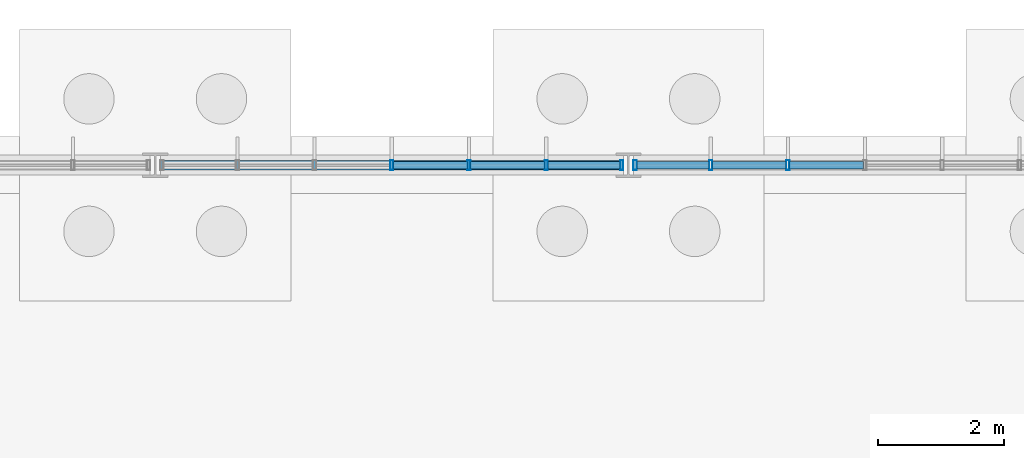
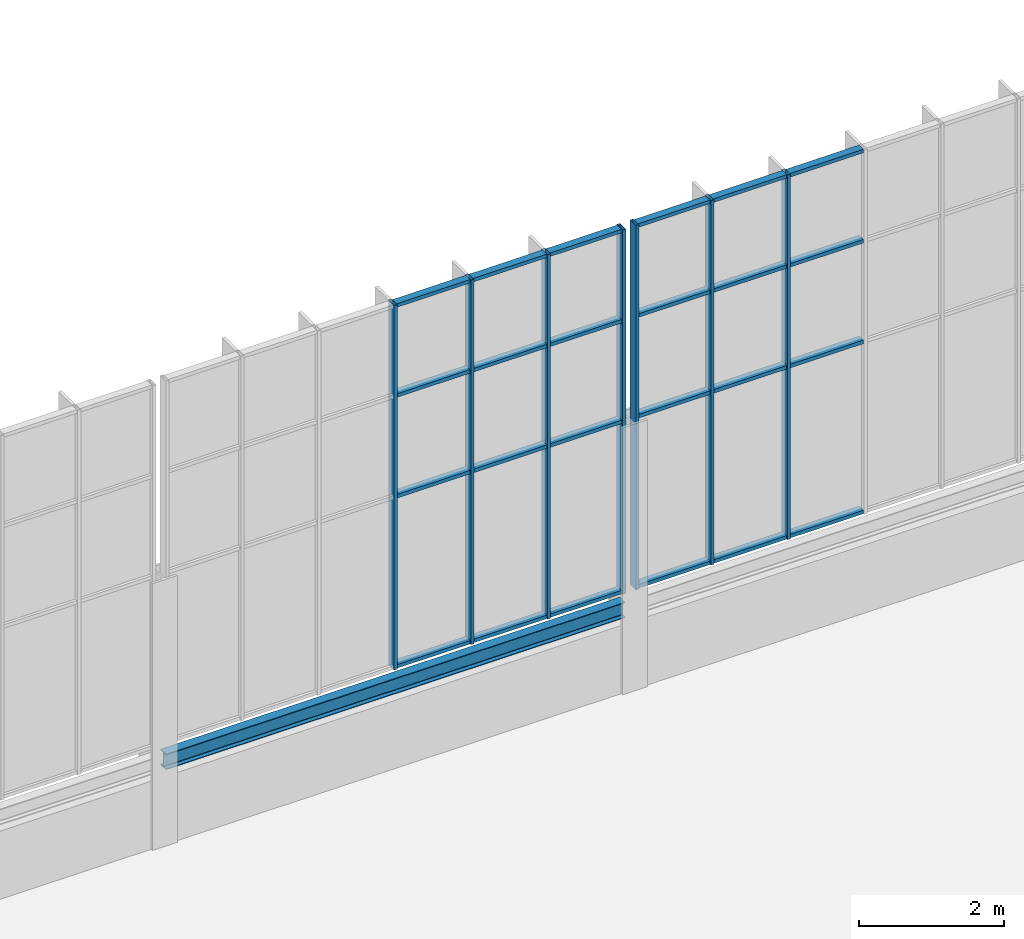
# One storey, part 59 of 136: 31 members, 1 beam, 2 elements without a shape of their own.
"""IFC4 building model written with IfcOpenShell, lengths in metres."""

from ifc_helpers import new_model, si_unit, direction, frame, origin, origin_2d, place, context, subcontext, project, spatial, hollow_rectangle, i_section, extrude, material, layer, layer_set, material_profile, profile_set, type_object, element, aggregate, save


model = new_model("IFC4")

# Units and contexts
model_context = context("Model", 3, precision=1e-05, world=origin(), true_north=direction((0.0, 1.0)))
body_context = subcontext(model_context, "Body", "Model", "MODEL_VIEW")
ifc_project = project(units=[si_unit("LENGTHUNIT", "METRE"), si_unit("AREAUNIT", "SQUARE_METRE"), si_unit("VOLUMEUNIT", "CUBIC_METRE"), si_unit("PLANEANGLEUNIT", "RADIAN"), si_unit("MASSUNIT", "GRAM", prefix="KILO")], contexts=[model_context])

# Site, building, storey
site_placement = place(None, origin())
site = spatial("IfcSite", under=ifc_project, at=site_placement, CompositionType="ELEMENT")
building_placement = place(site_placement, origin())
building = spatial("IfcBuilding", under=site, at=building_placement, Name="Solvenia Promenade Tram Depot", CompositionType="ELEMENT")
storey_placement = place(building_placement, origin())
storey = spatial("IfcBuildingStorey", under=building, at=storey_placement, Name="L00", CompositionType="ELEMENT", Elevation=0.0)

# Curtain wall, members
ifc_material_1 = material(Name="Anodized aluminium AW-6063 T6", Category="aluminium")
ifc_layer = layer(ifc_material_1, 0.159912109375, Name="Anodized aluminium AW-6063 T6", Category="aluminium")
ifc_layer_set = layer_set([ifc_layer], Name="Anodized aluminium AW-6063 T6")
curtain_wall_type = type_object("IfcCurtainWallType", Name="CW-Channel-1200", PredefinedType="NOTDEFINED", material=ifc_layer_set)
curtain_wall_1_placement = place(storey_placement, origin())
curtain_wall_1 = element("IfcCurtainWall", 1, at=curtain_wall_1_placement, inside=storey, type_object=curtain_wall_type, Name="North Translucent Channel-Glass Wall 07", PredefinedType="NOTDEFINED")
ifc_material_profile_1 = material_profile(ifc_material_1, hollow_rectangle(XDim=0.159912109375, YDim=0.052001953125, WallThickness=0.00390625, at=origin_2d()), Name="ALU-M1", Category="aluminium")
ifc_profile_set_1 = profile_set([ifc_material_profile_1], Name="Anodized aluminium AW-6063 T6")
member_type_1 = type_object("IfcMemberType", Name="CWM-Mullion-1", PredefinedType="MULLION", material=ifc_profile_set_1)
member_1_placement = place(storey_placement, frame((48.75, 126.0, 1.60009765625), z_axis=(0.0, 0.0, 1.0), x_axis=(0.0, 1.0, 0.0)))
member_1 = element("IfcMember", 2, at=member_1_placement, type_object=member_type_1, Name="CW-1 mullion 4", PredefinedType="MULLION", context=body_context, shape_type="SweptSolid", body=[
    extrude(hollow_rectangle(XDim=0.159912109375, YDim=0.052001953125, WallThickness=0.00390625, at=origin_2d()), origin(), (0.0, 0.0, 1.0), 6.14990234375),
])
member_2_placement = place(storey_placement, frame((49.973388671875, 126.0, 1.60009765625), z_axis=(0.0, 0.0, 1.0), x_axis=(0.0, 1.0, 0.0)))
member_2 = element("IfcMember", 3, at=member_2_placement, type_object=member_type_1, Name="CW-1 mullion 5", PredefinedType="MULLION", context=body_context, shape_type="SweptSolid", body=[
    extrude(hollow_rectangle(XDim=0.159912109375, YDim=0.052001953125, WallThickness=0.00390625, at=origin_2d()), origin(), (0.0, 0.0, 1.0), 6.14990234375),
])
member_3_placement = place(storey_placement, frame((51.19677734375, 126.0, 1.60009765625), z_axis=(0.0, 0.0, 1.0), x_axis=(0.0, 1.0, 0.0)))
member_3 = element("IfcMember", 4, at=member_3_placement, type_object=member_type_1, Name="CW-1 mullion 6", PredefinedType="MULLION", context=body_context, shape_type="SweptSolid", body=[
    extrude(hollow_rectangle(XDim=0.159912109375, YDim=0.052001953125, WallThickness=0.00390625, at=origin_2d()), origin(), (0.0, 0.0, 1.0), 6.14990234375),
])
member_4_placement = place(storey_placement, frame((52.39404296875, 126.0, 1.60009765625), z_axis=(0.0, 0.0, 1.0), x_axis=(0.0, 1.0, 0.0)))
member_4 = element("IfcMember", 5, at=member_4_placement, type_object=member_type_1, Name="CW-1 mullion 7", PredefinedType="MULLION", context=body_context, shape_type="SweptSolid", body=[
    extrude(hollow_rectangle(XDim=0.159912109375, YDim=0.052001953125, WallThickness=0.00390625, at=origin_2d()), origin(), (0.0, 0.0, 1.0), 6.14990234375),
])

curtain_wall_2_placement = place(storey_placement, origin())
curtain_wall_2 = element("IfcCurtainWall", 6, at=curtain_wall_2_placement, inside=storey, type_object=curtain_wall_type, Name="North Translucent Channel-Glass Wall 08", PredefinedType="NOTDEFINED")
member_5_placement = place(storey_placement, frame((52.60595703125, 126.0, 1.60009765625), z_axis=(0.0, 0.0, 1.0), x_axis=(0.0, 1.0, 0.0)))
member_5 = element("IfcMember", 7, at=member_5_placement, type_object=member_type_1, Name="CW-1 mullion 1", PredefinedType="MULLION", context=body_context, shape_type="SweptSolid", body=[
    extrude(hollow_rectangle(XDim=0.159912109375, YDim=0.052001953125, WallThickness=0.00390625, at=origin_2d()), origin(), (0.0, 0.0, 1.0), 6.14990234375),
])
member_6_placement = place(storey_placement, frame((53.80322265625, 126.0, 1.60009765625), z_axis=(0.0, 0.0, 1.0), x_axis=(0.0, 1.0, 0.0)))
member_6 = element("IfcMember", 8, at=member_6_placement, type_object=member_type_1, Name="CW-1 mullion 2", PredefinedType="MULLION", context=body_context, shape_type="SweptSolid", body=[
    extrude(hollow_rectangle(XDim=0.159912109375, YDim=0.052001953125, WallThickness=0.00390625, at=origin_2d()), origin(), (0.0, 0.0, 1.0), 6.14990234375),
])
member_7_placement = place(storey_placement, frame((55.026611328125, 126.0, 1.60009765625), z_axis=(0.0, 0.0, 1.0), x_axis=(0.0, 1.0, 0.0)))
member_7 = element("IfcMember", 9, at=member_7_placement, type_object=member_type_1, Name="CW-1 mullion 3", PredefinedType="MULLION", context=body_context, shape_type="SweptSolid", body=[
    extrude(hollow_rectangle(XDim=0.159912109375, YDim=0.052001953125, WallThickness=0.00390625, at=origin_2d()), origin(), (0.0, 0.0, 1.0), 6.14990234375),
])

# Member
ifc_material_profile_2 = material_profile(ifc_material_1, hollow_rectangle(XDim=0.1201171875, YDim=0.06005859375, WallThickness=0.00390625, at=origin_2d()), Name="ALU-T1", Category="aluminium")
ifc_profile_set_2 = profile_set([ifc_material_profile_2], Name="Anodized aluminium AW-6063 T6")
member_type_2 = type_object("IfcMemberType", Name="CWT-Transom-1", PredefinedType="USERDEFINED", material=ifc_profile_set_2)
member_8_placement = place(storey_placement, frame((48.77587890625, 126.0, 1.6298828125), z_axis=(1.0, 0.0, 0.0), x_axis=(0.0, 1.0, 0.0)))
member_8 = element("IfcMember", 10, at=member_8_placement, type_object=member_type_2, Name="CW-1 transom 4.1", ObjectType="TRANSOM", PredefinedType="USERDEFINED", context=body_context, shape_type="SweptSolid", body=[
    extrude(hollow_rectangle(XDim=0.1201171875, YDim=0.06005859375, WallThickness=0.00390625, at=origin_2d()), origin(), (0.0, 0.0, 1.0), 1.17138671875),
])

member_9_placement = place(storey_placement, frame((48.77587890625, 126.0, 4.5), z_axis=(1.0, 0.0, 0.0), x_axis=(0.0, 1.0, 0.0)))
member_9 = element("IfcMember", 11, at=member_9_placement, type_object=member_type_2, Name="CW-1 transom 4.2", ObjectType="TRANSOM", PredefinedType="USERDEFINED", context=body_context, shape_type="SweptSolid", body=[
    extrude(hollow_rectangle(XDim=0.1201171875, YDim=0.06005859375, WallThickness=0.00390625, at=origin_2d()), origin(), (0.0, 0.0, 1.0), 1.17138671875),
])

member_10_placement = place(storey_placement, frame((48.77587890625, 126.0, 6.199951171875), z_axis=(1.0, 0.0, 0.0), x_axis=(0.0, 1.0, 0.0)))
member_10 = element("IfcMember", 12, at=member_10_placement, type_object=member_type_2, Name="CW-1 transom 4.3", ObjectType="TRANSOM", PredefinedType="USERDEFINED", context=body_context, shape_type="SweptSolid", body=[
    extrude(hollow_rectangle(XDim=0.1201171875, YDim=0.06005859375, WallThickness=0.00390625, at=origin_2d()), origin(), (0.0, 0.0, 1.0), 1.17138671875),
])

member_11_placement = place(storey_placement, frame((48.77587890625, 126.0, 7.719970703125), z_axis=(1.0, 0.0, 0.0), x_axis=(0.0, 1.0, 0.0)))
member_11 = element("IfcMember", 13, at=member_11_placement, type_object=member_type_2, Name="CW-1 transom 4.4", ObjectType="TRANSOM", PredefinedType="USERDEFINED", context=body_context, shape_type="SweptSolid", body=[
    extrude(hollow_rectangle(XDim=0.1201171875, YDim=0.06005859375, WallThickness=0.00390625, at=origin_2d()), origin(), (0.0, 0.0, 1.0), 1.17138671875),
])

member_12_placement = place(storey_placement, frame((49.999267578125, 126.0, 1.6298828125), z_axis=(1.0, 0.0, 0.0), x_axis=(0.0, 1.0, 0.0)))
member_12 = element("IfcMember", 14, at=member_12_placement, type_object=member_type_2, Name="CW-1 transom 5.1", ObjectType="TRANSOM", PredefinedType="USERDEFINED", context=body_context, shape_type="SweptSolid", body=[
    extrude(hollow_rectangle(XDim=0.1201171875, YDim=0.06005859375, WallThickness=0.00390625, at=origin_2d()), origin(), (0.0, 0.0, 1.0), 1.17138671875),
])

member_13_placement = place(storey_placement, frame((49.999267578125, 126.0, 4.5), z_axis=(1.0, 0.0, 0.0), x_axis=(0.0, 1.0, 0.0)))
member_13 = element("IfcMember", 15, at=member_13_placement, type_object=member_type_2, Name="CW-1 transom 5.2", ObjectType="TRANSOM", PredefinedType="USERDEFINED", context=body_context, shape_type="SweptSolid", body=[
    extrude(hollow_rectangle(XDim=0.1201171875, YDim=0.06005859375, WallThickness=0.00390625, at=origin_2d()), origin(), (0.0, 0.0, 1.0), 1.17138671875),
])

member_14_placement = place(storey_placement, frame((49.999267578125, 126.0, 6.199951171875), z_axis=(1.0, 0.0, 0.0), x_axis=(0.0, 1.0, 0.0)))
member_14 = element("IfcMember", 16, at=member_14_placement, type_object=member_type_2, Name="CW-1 transom 5.3", ObjectType="TRANSOM", PredefinedType="USERDEFINED", context=body_context, shape_type="SweptSolid", body=[
    extrude(hollow_rectangle(XDim=0.1201171875, YDim=0.06005859375, WallThickness=0.00390625, at=origin_2d()), origin(), (0.0, 0.0, 1.0), 1.17138671875),
])

member_15_placement = place(storey_placement, frame((49.999267578125, 126.0, 7.719970703125), z_axis=(1.0, 0.0, 0.0), x_axis=(0.0, 1.0, 0.0)))
member_15 = element("IfcMember", 17, at=member_15_placement, type_object=member_type_2, Name="CW-1 transom 5.4", ObjectType="TRANSOM", PredefinedType="USERDEFINED", context=body_context, shape_type="SweptSolid", body=[
    extrude(hollow_rectangle(XDim=0.1201171875, YDim=0.06005859375, WallThickness=0.00390625, at=origin_2d()), origin(), (0.0, 0.0, 1.0), 1.17138671875),
])

member_16_placement = place(storey_placement, frame((51.22265625, 126.0, 1.6298828125), z_axis=(1.0, 0.0, 0.0), x_axis=(0.0, 1.0, 0.0)))
member_16 = element("IfcMember", 18, at=member_16_placement, type_object=member_type_2, Name="CW-1 transom 6.1", ObjectType="TRANSOM", PredefinedType="USERDEFINED", context=body_context, shape_type="SweptSolid", body=[
    extrude(hollow_rectangle(XDim=0.1201171875, YDim=0.06005859375, WallThickness=0.00390625, at=origin_2d()), origin(), (0.0, 0.0, 1.0), 1.145263671875),
])

member_17_placement = place(storey_placement, frame((51.22265625, 126.0, 4.5), z_axis=(1.0, 0.0, 0.0), x_axis=(0.0, 1.0, 0.0)))
member_17 = element("IfcMember", 19, at=member_17_placement, type_object=member_type_2, Name="CW-1 transom 6.2", ObjectType="TRANSOM", PredefinedType="USERDEFINED", context=body_context, shape_type="SweptSolid", body=[
    extrude(hollow_rectangle(XDim=0.1201171875, YDim=0.06005859375, WallThickness=0.00390625, at=origin_2d()), origin(), (0.0, 0.0, 1.0), 1.145263671875),
])

member_18_placement = place(storey_placement, frame((51.22265625, 126.0, 6.199951171875), z_axis=(1.0, 0.0, 0.0), x_axis=(0.0, 1.0, 0.0)))
member_18 = element("IfcMember", 20, at=member_18_placement, type_object=member_type_2, Name="CW-1 transom 6.3", ObjectType="TRANSOM", PredefinedType="USERDEFINED", context=body_context, shape_type="SweptSolid", body=[
    extrude(hollow_rectangle(XDim=0.1201171875, YDim=0.06005859375, WallThickness=0.00390625, at=origin_2d()), origin(), (0.0, 0.0, 1.0), 1.145263671875),
])

member_19_placement = place(storey_placement, frame((51.22265625, 126.0, 7.719970703125), z_axis=(1.0, 0.0, 0.0), x_axis=(0.0, 1.0, 0.0)))
member_19 = element("IfcMember", 21, at=member_19_placement, type_object=member_type_2, Name="CW-1 transom 6.4", ObjectType="TRANSOM", PredefinedType="USERDEFINED", context=body_context, shape_type="SweptSolid", body=[
    extrude(hollow_rectangle(XDim=0.1201171875, YDim=0.06005859375, WallThickness=0.00390625, at=origin_2d()), origin(), (0.0, 0.0, 1.0), 1.145263671875),
])

aggregate(curtain_wall_1, [member_1, member_2, member_3, member_4, member_8, member_9, member_10, member_11, member_12, member_13, member_14, member_15, member_16, member_17, member_18, member_19])

member_20_placement = place(storey_placement, frame((52.632080078125, 126.0, 1.6298828125), z_axis=(1.0, 0.0, 0.0), x_axis=(0.0, 1.0, 0.0)))
member_20 = element("IfcMember", 22, at=member_20_placement, type_object=member_type_2, Name="CW-1 transom 1.1", ObjectType="TRANSOM", PredefinedType="USERDEFINED", context=body_context, shape_type="SweptSolid", body=[
    extrude(hollow_rectangle(XDim=0.1201171875, YDim=0.06005859375, WallThickness=0.00390625, at=origin_2d()), origin(), (0.0, 0.0, 1.0), 1.145263671875),
])

member_21_placement = place(storey_placement, frame((52.632080078125, 126.0, 4.5), z_axis=(1.0, 0.0, 0.0), x_axis=(0.0, 1.0, 0.0)))
member_21 = element("IfcMember", 23, at=member_21_placement, type_object=member_type_2, Name="CW-1 transom 1.2", ObjectType="TRANSOM", PredefinedType="USERDEFINED", context=body_context, shape_type="SweptSolid", body=[
    extrude(hollow_rectangle(XDim=0.1201171875, YDim=0.06005859375, WallThickness=0.00390625, at=origin_2d()), origin(), (0.0, 0.0, 1.0), 1.145263671875),
])

member_22_placement = place(storey_placement, frame((52.632080078125, 126.0, 6.199951171875), z_axis=(1.0, 0.0, 0.0), x_axis=(0.0, 1.0, 0.0)))
member_22 = element("IfcMember", 24, at=member_22_placement, type_object=member_type_2, Name="CW-1 transom 1.3", ObjectType="TRANSOM", PredefinedType="USERDEFINED", context=body_context, shape_type="SweptSolid", body=[
    extrude(hollow_rectangle(XDim=0.1201171875, YDim=0.06005859375, WallThickness=0.00390625, at=origin_2d()), origin(), (0.0, 0.0, 1.0), 1.145263671875),
])

member_23_placement = place(storey_placement, frame((52.632080078125, 126.0, 7.719970703125), z_axis=(1.0, 0.0, 0.0), x_axis=(0.0, 1.0, 0.0)))
member_23 = element("IfcMember", 25, at=member_23_placement, type_object=member_type_2, Name="CW-1 transom 1.4", ObjectType="TRANSOM", PredefinedType="USERDEFINED", context=body_context, shape_type="SweptSolid", body=[
    extrude(hollow_rectangle(XDim=0.1201171875, YDim=0.06005859375, WallThickness=0.00390625, at=origin_2d()), origin(), (0.0, 0.0, 1.0), 1.145263671875),
])

member_24_placement = place(storey_placement, frame((53.829345703125, 126.0, 1.6298828125), z_axis=(1.0, 0.0, 0.0), x_axis=(0.0, 1.0, 0.0)))
member_24 = element("IfcMember", 26, at=member_24_placement, type_object=member_type_2, Name="CW-1 transom 2.1", ObjectType="TRANSOM", PredefinedType="USERDEFINED", context=body_context, shape_type="SweptSolid", body=[
    extrude(hollow_rectangle(XDim=0.1201171875, YDim=0.06005859375, WallThickness=0.00390625, at=origin_2d()), origin(), (0.0, 0.0, 1.0), 1.17138671875),
])

member_25_placement = place(storey_placement, frame((53.829345703125, 126.0, 4.5), z_axis=(1.0, 0.0, 0.0), x_axis=(0.0, 1.0, 0.0)))
member_25 = element("IfcMember", 27, at=member_25_placement, type_object=member_type_2, Name="CW-1 transom 2.2", ObjectType="TRANSOM", PredefinedType="USERDEFINED", context=body_context, shape_type="SweptSolid", body=[
    extrude(hollow_rectangle(XDim=0.1201171875, YDim=0.06005859375, WallThickness=0.00390625, at=origin_2d()), origin(), (0.0, 0.0, 1.0), 1.17138671875),
])

member_26_placement = place(storey_placement, frame((53.829345703125, 126.0, 6.199951171875), z_axis=(1.0, 0.0, 0.0), x_axis=(0.0, 1.0, 0.0)))
member_26 = element("IfcMember", 28, at=member_26_placement, type_object=member_type_2, Name="CW-1 transom 2.3", ObjectType="TRANSOM", PredefinedType="USERDEFINED", context=body_context, shape_type="SweptSolid", body=[
    extrude(hollow_rectangle(XDim=0.1201171875, YDim=0.06005859375, WallThickness=0.00390625, at=origin_2d()), origin(), (0.0, 0.0, 1.0), 1.17138671875),
])

member_27_placement = place(storey_placement, frame((53.829345703125, 126.0, 7.719970703125), z_axis=(1.0, 0.0, 0.0), x_axis=(0.0, 1.0, 0.0)))
member_27 = element("IfcMember", 29, at=member_27_placement, type_object=member_type_2, Name="CW-1 transom 2.4", ObjectType="TRANSOM", PredefinedType="USERDEFINED", context=body_context, shape_type="SweptSolid", body=[
    extrude(hollow_rectangle(XDim=0.1201171875, YDim=0.06005859375, WallThickness=0.00390625, at=origin_2d()), origin(), (0.0, 0.0, 1.0), 1.17138671875),
])

member_28_placement = place(storey_placement, frame((55.052734375, 126.0, 1.6298828125), z_axis=(1.0, 0.0, 0.0), x_axis=(0.0, 1.0, 0.0)))
member_28 = element("IfcMember", 30, at=member_28_placement, type_object=member_type_2, Name="CW-1 transom 3.1", ObjectType="TRANSOM", PredefinedType="USERDEFINED", context=body_context, shape_type="SweptSolid", body=[
    extrude(hollow_rectangle(XDim=0.1201171875, YDim=0.06005859375, WallThickness=0.00390625, at=origin_2d()), origin(), (0.0, 0.0, 1.0), 1.17138671875),
])

member_29_placement = place(storey_placement, frame((55.052734375, 126.0, 4.5), z_axis=(1.0, 0.0, 0.0), x_axis=(0.0, 1.0, 0.0)))
member_29 = element("IfcMember", 31, at=member_29_placement, type_object=member_type_2, Name="CW-1 transom 3.2", ObjectType="TRANSOM", PredefinedType="USERDEFINED", context=body_context, shape_type="SweptSolid", body=[
    extrude(hollow_rectangle(XDim=0.1201171875, YDim=0.06005859375, WallThickness=0.00390625, at=origin_2d()), origin(), (0.0, 0.0, 1.0), 1.17138671875),
])

member_30_placement = place(storey_placement, frame((55.052734375, 126.0, 6.199951171875), z_axis=(1.0, 0.0, 0.0), x_axis=(0.0, 1.0, 0.0)))
member_30 = element("IfcMember", 32, at=member_30_placement, type_object=member_type_2, Name="CW-1 transom 3.3", ObjectType="TRANSOM", PredefinedType="USERDEFINED", context=body_context, shape_type="SweptSolid", body=[
    extrude(hollow_rectangle(XDim=0.1201171875, YDim=0.06005859375, WallThickness=0.00390625, at=origin_2d()), origin(), (0.0, 0.0, 1.0), 1.17138671875),
])

member_31_placement = place(storey_placement, frame((55.052734375, 126.0, 7.719970703125), z_axis=(1.0, 0.0, 0.0), x_axis=(0.0, 1.0, 0.0)))
member_31 = element("IfcMember", 33, at=member_31_placement, type_object=member_type_2, Name="CW-1 transom 3.4", ObjectType="TRANSOM", PredefinedType="USERDEFINED", context=body_context, shape_type="SweptSolid", body=[
    extrude(hollow_rectangle(XDim=0.1201171875, YDim=0.06005859375, WallThickness=0.00390625, at=origin_2d()), origin(), (0.0, 0.0, 1.0), 1.17138671875),
])

aggregate(curtain_wall_2, [member_5, member_6, member_7, member_20, member_21, member_22, member_23, member_24, member_25, member_26, member_27, member_28, member_29, member_30, member_31])

# Beam
ifc_material_2 = material(Name="Structural steel ASTM A992 Gr. 50", Category="steel")
ifc_material_profile_3 = material_profile(ifc_material_2, i_section(OverallWidth=0.14697265625, OverallDepth=0.261962890625, WebThickness=0.006591796875, FlangeThickness=0.01123046875, FilletRadius=0.010009765625, at=origin_2d()), Name="W250x39", Category="steel")
ifc_profile_set_3 = profile_set([ifc_material_profile_3], Name="Structural steel ASTM A992 Gr. 50")
beam_type = type_object("IfcBeamType", Name="Lintel-W250x39", PredefinedType="LINTEL", material=ifc_profile_set_3)
beam_placement = place(storey_placement, frame((45.0849609375, 126.0, 1.319091796875), z_axis=(1.0, 0.0, 0.0), x_axis=(0.0, 1.0, 0.0)))
element("IfcBeam", 34, at=beam_placement, inside=storey, type_object=beam_type, Name="North Plinth Header Beam 7 BM-L00-0940", PredefinedType="LINTEL", context=body_context, shape_type="SweptSolid", body=[
    extrude(i_section(OverallWidth=0.14697265625, OverallDepth=0.261962890625, WebThickness=0.006591796875, FlangeThickness=0.01123046875, FilletRadius=0.010009765625, at=origin_2d()), origin(), (0.0, 0.0, 1.0), 7.330078125),
])

save(model, "model.ifc")
